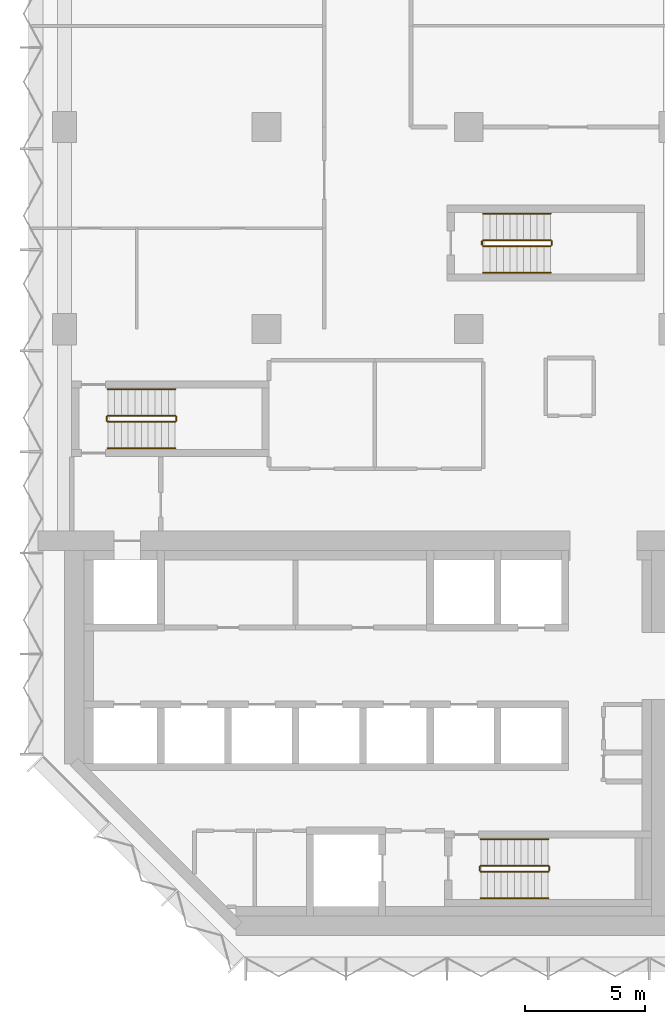
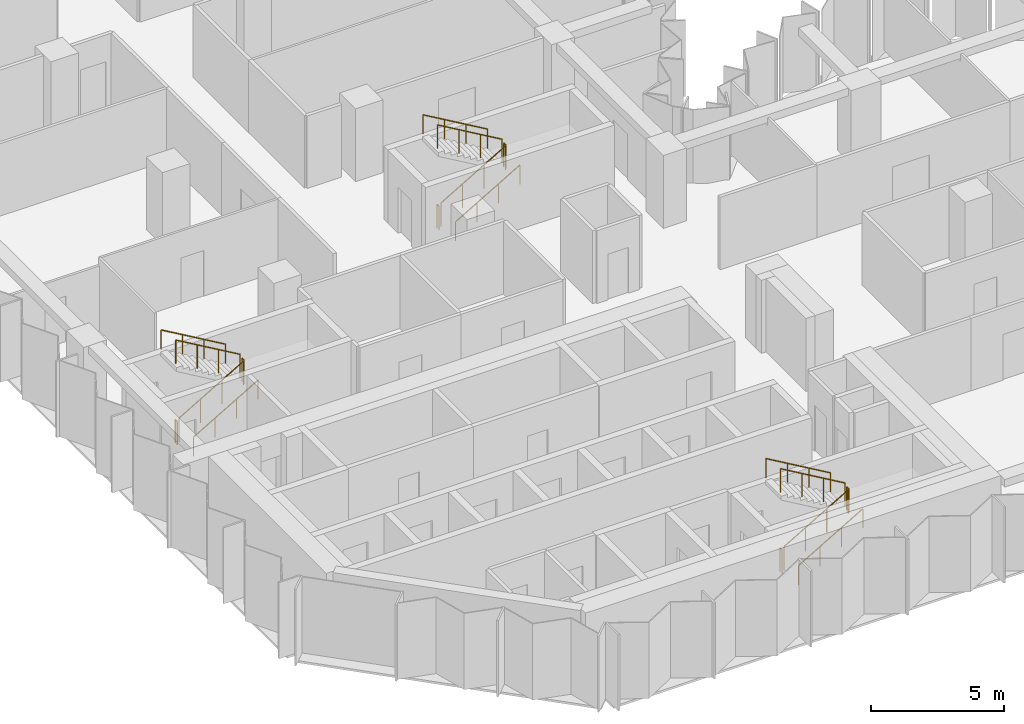
# One storey, part 12 of 13: 18 railings.
"""IFC4 building model written with IfcOpenShell, lengths in metres."""

from ifc_helpers import new_model, si_unit, direction, frame, origin, origin_2d, place, context, subcontext, project, spatial, circle, extrude, material, type_object, element, save


model = new_model("IFC4")

# Units and contexts
model_context = context("Model", 3, precision=1e-05, world=origin(), true_north=direction((0.0, 1.0)))
body_context = subcontext(model_context, "Body", "Model", "MODEL_VIEW")
ifc_project = project(units=[si_unit("LENGTHUNIT", "METRE"), si_unit("AREAUNIT", "SQUARE_METRE"), si_unit("VOLUMEUNIT", "CUBIC_METRE"), si_unit("PLANEANGLEUNIT", "RADIAN"), si_unit("MASSUNIT", "GRAM", prefix="KILO")], contexts=[model_context])

# Site, building, storey
site_placement = place(None, origin())
site = spatial("IfcSite", under=ifc_project, at=site_placement, CompositionType="ELEMENT")
building_placement = place(site_placement, origin())
building = spatial("IfcBuilding", under=site, at=building_placement, Name="Brevane Broadcast Tower", CompositionType="ELEMENT")
storey_placement = place(building_placement, frame((0.0, 0.0, 91.699951171875)))
storey = spatial("IfcBuildingStorey", under=building, at=storey_placement, Name="L21", CompositionType="ELEMENT", Elevation=91.699951171875)

# Railings
ifc_material = material(Name="Steel S355", Category="steel")
railing_type_1 = type_object("IfcRailingType", Name="Exit stair guard", PredefinedType="GUARDRAIL", material=ifc_material)
railing_1_placement = place(storey_placement, frame((1.800048828125, 21.35009765625, 0.16357421875)))
element("IfcRailing", 1, at=railing_1_placement, inside=storey, type_object=railing_type_1, Name="L21 ST-1 stair guard 1", PredefinedType="GUARDRAIL", context=body_context, shape_type="SweptSolid", body=[
    extrude(circle(Radius=0.02392578125, at=origin_2d()), frame((0.0, 0.0, 1.076171875), z_axis=(0.863360870873, 0.0, 0.504586966384), x_axis=(0.0, 1.0, 0.0)), (0.0, 0.0, 1.0), 3.2431640625),
    extrude(circle(Radius=0.02099609375, at=origin_2d()), origin(), (0.0, 0.0, 1.0), 1.052001953125),
    extrude(circle(Radius=0.02099609375, at=origin_2d()), frame((0.933349609375, 0.0, 0.54541015625)), (0.0, 0.0, 1.0), 1.052001953125),
    extrude(circle(Radius=0.02099609375, at=origin_2d()), frame((1.86669921875, 0.0, 1.091064453125)), (0.0, 0.0, 1.0), 1.052001953125),
    extrude(circle(Radius=0.02099609375, at=origin_2d()), frame((2.800048828125, 0.0, 1.636474609375)), (0.0, 0.0, 1.0), 1.052001953125),
])
railing_2_placement = place(storey_placement, frame((4.64990234375, 21.39990234375, 1.800048828125)))
element("IfcRailing", 2, at=railing_2_placement, inside=storey, type_object=railing_type_1, Name="L21 ST-1 stair guard 2", PredefinedType="GUARDRAIL", context=body_context, shape_type="SweptSolid", body=[
    extrude(circle(Radius=0.02392578125, at=origin_2d()), frame((0.0, 0.0, 1.076171875), z_axis=(0.0, 1.0, 0.0), x_axis=(-1.0, 0.0, 0.0)), (0.0, 0.0, 1.0), 0.150146484375),
    extrude(circle(Radius=0.02099609375, at=origin_2d()), origin(), (0.0, 0.0, 1.0), 1.052001953125),
    extrude(circle(Radius=0.02099609375, at=origin_2d()), frame((0.0, 0.150146484375, 0.0)), (0.0, 0.0, 1.0), 1.052001953125),
])
railing_3_placement = place(storey_placement, frame((4.60009765625, 21.60009765625, 1.963623046875)))
element("IfcRailing", 3, at=railing_3_placement, inside=storey, type_object=railing_type_1, Name="L21 ST-1 stair guard 3", PredefinedType="GUARDRAIL", context=body_context, shape_type="SweptSolid", body=[
    extrude(circle(Radius=0.02392578125, at=origin_2d()), frame((0.0, 0.0, 1.076171875), z_axis=(-0.863360870873, 0.0, 0.504586966384), x_axis=(0.0, -1.0, 0.0)), (0.0, 0.0, 1.0), 3.2431640625),
    extrude(circle(Radius=0.02099609375, at=origin_2d()), origin(), (0.0, 0.0, 1.0), 1.052001953125),
    extrude(circle(Radius=0.02099609375, at=origin_2d()), frame((-0.933349609375, 0.0, 0.54541015625)), (0.0, 0.0, 1.0), 1.052001953125),
    extrude(circle(Radius=0.02099609375, at=origin_2d()), frame((-1.86669921875, 0.0, 1.091064453125)), (0.0, 0.0, 1.0), 1.052001953125),
    extrude(circle(Radius=0.02099609375, at=origin_2d()), frame((-2.800048828125, 0.0, 1.636474609375)), (0.0, 0.0, 1.0), 1.052001953125),
])
railing_4_placement = place(storey_placement, frame((1.75, 21.39990234375, 0.0)))
element("IfcRailing", 4, at=railing_4_placement, inside=storey, type_object=railing_type_1, Name="L21 ST-1 stair guard 4", PredefinedType="GUARDRAIL", context=body_context, shape_type="SweptSolid", body=[
    extrude(circle(Radius=0.02392578125, at=origin_2d()), frame((0.0, 0.0, 1.076171875), z_axis=(0.0, 1.0, 0.0), x_axis=(-1.0, 0.0, 0.0)), (0.0, 0.0, 1.0), 0.150146484375),
    extrude(circle(Radius=0.02099609375, at=origin_2d()), origin(), (0.0, 0.0, 1.0), 1.052001953125),
    extrude(circle(Radius=0.02099609375, at=origin_2d()), frame((0.0, 0.150146484375, 0.0)), (0.0, 0.0, 1.0), 1.052001953125),
])
railing_5_placement = place(storey_placement, frame((17.300048828125, 2.64990234375, 0.16357421875)))
element("IfcRailing", 5, at=railing_5_placement, inside=storey, type_object=railing_type_1, Name="L21 ST-2 stair guard 1", PredefinedType="GUARDRAIL", context=body_context, shape_type="SweptSolid", body=[
    extrude(circle(Radius=0.02392578125, at=origin_2d()), frame((0.0, 0.0, 1.076171875), z_axis=(0.863360870873, 0.0, 0.504586966384), x_axis=(0.0, 1.0, 0.0)), (0.0, 0.0, 1.0), 3.2431640625),
    extrude(circle(Radius=0.02099609375, at=origin_2d()), origin(), (0.0, 0.0, 1.0), 1.052001953125),
    extrude(circle(Radius=0.02099609375, at=origin_2d()), frame((0.933349609375, 0.0, 0.54541015625)), (0.0, 0.0, 1.0), 1.052001953125),
    extrude(circle(Radius=0.02099609375, at=origin_2d()), frame((1.86669921875, 0.0, 1.091064453125)), (0.0, 0.0, 1.0), 1.052001953125),
    extrude(circle(Radius=0.02099609375, at=origin_2d()), frame((2.800048828125, 0.0, 1.636474609375)), (0.0, 0.0, 1.0), 1.052001953125),
])
railing_6_placement = place(storey_placement, frame((20.14990234375, 2.699951171875, 1.800048828125)))
element("IfcRailing", 6, at=railing_6_placement, inside=storey, type_object=railing_type_1, Name="L21 ST-2 stair guard 2", PredefinedType="GUARDRAIL", context=body_context, shape_type="SweptSolid", body=[
    extrude(circle(Radius=0.02392578125, at=origin_2d()), frame((0.0, 0.0, 1.076171875), z_axis=(0.0, 1.0, 0.0), x_axis=(-1.0, 0.0, 0.0)), (0.0, 0.0, 1.0), 0.150146484375),
    extrude(circle(Radius=0.02099609375, at=origin_2d()), origin(), (0.0, 0.0, 1.0), 1.052001953125),
    extrude(circle(Radius=0.02099609375, at=origin_2d()), frame((0.0, 0.150146484375, 0.0)), (0.0, 0.0, 1.0), 1.052001953125),
])
railing_7_placement = place(storey_placement, frame((20.10009765625, 2.89990234375, 1.963623046875)))
element("IfcRailing", 7, at=railing_7_placement, inside=storey, type_object=railing_type_1, Name="L21 ST-2 stair guard 3", PredefinedType="GUARDRAIL", context=body_context, shape_type="SweptSolid", body=[
    extrude(circle(Radius=0.02392578125, at=origin_2d()), frame((0.0, 0.0, 1.076171875), z_axis=(-0.863360870873, 0.0, 0.504586966384), x_axis=(0.0, -1.0, 0.0)), (0.0, 0.0, 1.0), 3.2431640625),
    extrude(circle(Radius=0.02099609375, at=origin_2d()), origin(), (0.0, 0.0, 1.0), 1.052001953125),
    extrude(circle(Radius=0.02099609375, at=origin_2d()), frame((-0.933349609375, 0.0, 0.54541015625)), (0.0, 0.0, 1.0), 1.052001953125),
    extrude(circle(Radius=0.02099609375, at=origin_2d()), frame((-1.86669921875, 0.0, 1.091064453125)), (0.0, 0.0, 1.0), 1.052001953125),
    extrude(circle(Radius=0.02099609375, at=origin_2d()), frame((-2.800048828125, 0.0, 1.636474609375)), (0.0, 0.0, 1.0), 1.052001953125),
])
railing_8_placement = place(storey_placement, frame((17.25, 2.699951171875, 0.0)))
element("IfcRailing", 8, at=railing_8_placement, inside=storey, type_object=railing_type_1, Name="L21 ST-2 stair guard 4", PredefinedType="GUARDRAIL", context=body_context, shape_type="SweptSolid", body=[
    extrude(circle(Radius=0.02392578125, at=origin_2d()), frame((0.0, 0.0, 1.076171875), z_axis=(0.0, 1.0, 0.0), x_axis=(-1.0, 0.0, 0.0)), (0.0, 0.0, 1.0), 0.150146484375),
    extrude(circle(Radius=0.02099609375, at=origin_2d()), origin(), (0.0, 0.0, 1.0), 1.052001953125),
    extrude(circle(Radius=0.02099609375, at=origin_2d()), frame((0.0, 0.150146484375, 0.0)), (0.0, 0.0, 1.0), 1.052001953125),
])
railing_9_placement = place(storey_placement, frame((17.39990234375, 28.64990234375, 0.16357421875)))
element("IfcRailing", 9, at=railing_9_placement, inside=storey, type_object=railing_type_1, Name="L21 ST-3 stair guard 1", PredefinedType="GUARDRAIL", context=body_context, shape_type="SweptSolid", body=[
    extrude(circle(Radius=0.02392578125, at=origin_2d()), frame((0.0, 0.0, 1.076171875), z_axis=(0.863360870873, 0.0, 0.504586966384), x_axis=(0.0, 1.0, 0.0)), (0.0, 0.0, 1.0), 3.2431640625),
    extrude(circle(Radius=0.02099609375, at=origin_2d()), origin(), (0.0, 0.0, 1.0), 1.052001953125),
    extrude(circle(Radius=0.02099609375, at=origin_2d()), frame((0.933349609375, 0.0, 0.54541015625)), (0.0, 0.0, 1.0), 1.052001953125),
    extrude(circle(Radius=0.02099609375, at=origin_2d()), frame((1.86669921875, 0.0, 1.091064453125)), (0.0, 0.0, 1.0), 1.052001953125),
    extrude(circle(Radius=0.02099609375, at=origin_2d()), frame((2.800048828125, 0.0, 1.636474609375)), (0.0, 0.0, 1.0), 1.052001953125),
])
railing_10_placement = place(storey_placement, frame((20.25, 28.699951171875, 1.800048828125)))
element("IfcRailing", 10, at=railing_10_placement, inside=storey, type_object=railing_type_1, Name="L21 ST-3 stair guard 2", PredefinedType="GUARDRAIL", context=body_context, shape_type="SweptSolid", body=[
    extrude(circle(Radius=0.02392578125, at=origin_2d()), frame((0.0, 0.0, 1.076171875), z_axis=(0.0, 1.0, 0.0), x_axis=(-1.0, 0.0, 0.0)), (0.0, 0.0, 1.0), 0.150146484375),
    extrude(circle(Radius=0.02099609375, at=origin_2d()), origin(), (0.0, 0.0, 1.0), 1.052001953125),
    extrude(circle(Radius=0.02099609375, at=origin_2d()), frame((0.0, 0.150146484375, 0.0)), (0.0, 0.0, 1.0), 1.052001953125),
])
railing_11_placement = place(storey_placement, frame((20.199951171875, 28.89990234375, 1.963623046875)))
element("IfcRailing", 11, at=railing_11_placement, inside=storey, type_object=railing_type_1, Name="L21 ST-3 stair guard 3", PredefinedType="GUARDRAIL", context=body_context, shape_type="SweptSolid", body=[
    extrude(circle(Radius=0.02392578125, at=origin_2d()), frame((0.0, 0.0, 1.076171875), z_axis=(-0.863360870873, 0.0, 0.504586966384), x_axis=(0.0, -1.0, 0.0)), (0.0, 0.0, 1.0), 3.2431640625),
    extrude(circle(Radius=0.02099609375, at=origin_2d()), origin(), (0.0, 0.0, 1.0), 1.052001953125),
    extrude(circle(Radius=0.02099609375, at=origin_2d()), frame((-0.933349609375, 0.0, 0.54541015625)), (0.0, 0.0, 1.0), 1.052001953125),
    extrude(circle(Radius=0.02099609375, at=origin_2d()), frame((-1.86669921875, 0.0, 1.091064453125)), (0.0, 0.0, 1.0), 1.052001953125),
    extrude(circle(Radius=0.02099609375, at=origin_2d()), frame((-2.800048828125, 0.0, 1.636474609375)), (0.0, 0.0, 1.0), 1.052001953125),
])
railing_12_placement = place(storey_placement, frame((17.35009765625, 28.699951171875, 0.0)))
element("IfcRailing", 12, at=railing_12_placement, inside=storey, type_object=railing_type_1, Name="L21 ST-3 stair guard 4", PredefinedType="GUARDRAIL", context=body_context, shape_type="SweptSolid", body=[
    extrude(circle(Radius=0.02392578125, at=origin_2d()), frame((0.0, 0.0, 1.076171875), z_axis=(0.0, 1.0, 0.0), x_axis=(-1.0, 0.0, 0.0)), (0.0, 0.0, 1.0), 0.150146484375),
    extrude(circle(Radius=0.02099609375, at=origin_2d()), origin(), (0.0, 0.0, 1.0), 1.052001953125),
    extrude(circle(Radius=0.02099609375, at=origin_2d()), frame((0.0, 0.150146484375, 0.0)), (0.0, 0.0, 1.0), 1.052001953125),
])
railing_type_2 = type_object("IfcRailingType", Name="Exit stair handrail", PredefinedType="HANDRAIL", material=ifc_material)
railing_13_placement = place(storey_placement, frame((1.800048828125, 20.25, 0.16357421875)))
element("IfcRailing", 13, at=railing_13_placement, inside=storey, type_object=railing_type_2, Name="L21 ST-1 stair handrail 1", PredefinedType="HANDRAIL", context=body_context, shape_type="SweptSolid", body=[
    extrude(circle(Radius=0.02392578125, at=origin_2d()), frame((0.0, 0.0, 0.8759765625), z_axis=(0.863360870873, 0.0, 0.504586966384), x_axis=(0.0, 1.0, 0.0)), (0.0, 0.0, 1.0), 3.2431640625),
    extrude(circle(Radius=0.02099609375, at=origin_2d()), origin(), (0.0, 0.0, 1.0), 0.851806640625),
    extrude(circle(Radius=0.02099609375, at=origin_2d()), frame((0.933349609375, 0.0, 0.54541015625)), (0.0, 0.0, 1.0), 0.851806640625),
    extrude(circle(Radius=0.02099609375, at=origin_2d()), frame((1.86669921875, 0.0, 1.091064453125)), (0.0, 0.0, 1.0), 0.851806640625),
    extrude(circle(Radius=0.02099609375, at=origin_2d()), frame((2.800048828125, 0.0, 1.636474609375)), (0.0, 0.0, 1.0), 0.851806640625),
])
railing_14_placement = place(storey_placement, frame((4.60009765625, 22.699951171875, 1.963623046875)))
element("IfcRailing", 14, at=railing_14_placement, inside=storey, type_object=railing_type_2, Name="L21 ST-1 stair handrail 2", PredefinedType="HANDRAIL", context=body_context, shape_type="SweptSolid", body=[
    extrude(circle(Radius=0.02392578125, at=origin_2d()), frame((0.0, 0.0, 0.8759765625), z_axis=(-0.863360870873, 0.0, 0.504586966384), x_axis=(0.0, -1.0, 0.0)), (0.0, 0.0, 1.0), 3.2431640625),
    extrude(circle(Radius=0.02099609375, at=origin_2d()), origin(), (0.0, 0.0, 1.0), 0.851806640625),
    extrude(circle(Radius=0.02099609375, at=origin_2d()), frame((-0.933349609375, 0.0, 0.54541015625)), (0.0, 0.0, 1.0), 0.851806640625),
    extrude(circle(Radius=0.02099609375, at=origin_2d()), frame((-1.86669921875, 0.0, 1.091064453125)), (0.0, 0.0, 1.0), 0.851806640625),
    extrude(circle(Radius=0.02099609375, at=origin_2d()), frame((-2.800048828125, 0.0, 1.636474609375)), (0.0, 0.0, 1.0), 0.851806640625),
])
railing_15_placement = place(storey_placement, frame((17.300048828125, 1.550048828125, 0.16357421875)))
element("IfcRailing", 15, at=railing_15_placement, inside=storey, type_object=railing_type_2, Name="L21 ST-2 stair handrail 1", PredefinedType="HANDRAIL", context=body_context, shape_type="SweptSolid", body=[
    extrude(circle(Radius=0.02392578125, at=origin_2d()), frame((0.0, 0.0, 0.8759765625), z_axis=(0.863360870873, 0.0, 0.504586966384), x_axis=(0.0, 1.0, 0.0)), (0.0, 0.0, 1.0), 3.2431640625),
    extrude(circle(Radius=0.02099609375, at=origin_2d()), origin(), (0.0, 0.0, 1.0), 0.851806640625),
    extrude(circle(Radius=0.02099609375, at=origin_2d()), frame((0.933349609375, 0.0, 0.54541015625)), (0.0, 0.0, 1.0), 0.851806640625),
    extrude(circle(Radius=0.02099609375, at=origin_2d()), frame((1.86669921875, 0.0, 1.091064453125)), (0.0, 0.0, 1.0), 0.851806640625),
    extrude(circle(Radius=0.02099609375, at=origin_2d()), frame((2.800048828125, 0.0, 1.636474609375)), (0.0, 0.0, 1.0), 0.851806640625),
])
railing_16_placement = place(storey_placement, frame((20.10009765625, 4.0, 1.963623046875)))
element("IfcRailing", 16, at=railing_16_placement, inside=storey, type_object=railing_type_2, Name="L21 ST-2 stair handrail 2", PredefinedType="HANDRAIL", context=body_context, shape_type="SweptSolid", body=[
    extrude(circle(Radius=0.02392578125, at=origin_2d()), frame((0.0, 0.0, 0.8759765625), z_axis=(-0.863360870873, 0.0, 0.504586966384), x_axis=(0.0, -1.0, 0.0)), (0.0, 0.0, 1.0), 3.2431640625),
    extrude(circle(Radius=0.02099609375, at=origin_2d()), origin(), (0.0, 0.0, 1.0), 0.851806640625),
    extrude(circle(Radius=0.02099609375, at=origin_2d()), frame((-0.933349609375, 0.0, 0.54541015625)), (0.0, 0.0, 1.0), 0.851806640625),
    extrude(circle(Radius=0.02099609375, at=origin_2d()), frame((-1.86669921875, 0.0, 1.091064453125)), (0.0, 0.0, 1.0), 0.851806640625),
    extrude(circle(Radius=0.02099609375, at=origin_2d()), frame((-2.800048828125, 0.0, 1.636474609375)), (0.0, 0.0, 1.0), 0.851806640625),
])
railing_17_placement = place(storey_placement, frame((17.39990234375, 27.550048828125, 0.16357421875)))
element("IfcRailing", 17, at=railing_17_placement, inside=storey, type_object=railing_type_2, Name="L21 ST-3 stair handrail 1", PredefinedType="HANDRAIL", context=body_context, shape_type="SweptSolid", body=[
    extrude(circle(Radius=0.02392578125, at=origin_2d()), frame((0.0, 0.0, 0.8759765625), z_axis=(0.863360870873, 0.0, 0.504586966384), x_axis=(0.0, 1.0, 0.0)), (0.0, 0.0, 1.0), 3.2431640625),
    extrude(circle(Radius=0.02099609375, at=origin_2d()), origin(), (0.0, 0.0, 1.0), 0.851806640625),
    extrude(circle(Radius=0.02099609375, at=origin_2d()), frame((0.933349609375, 0.0, 0.54541015625)), (0.0, 0.0, 1.0), 0.851806640625),
    extrude(circle(Radius=0.02099609375, at=origin_2d()), frame((1.86669921875, 0.0, 1.091064453125)), (0.0, 0.0, 1.0), 0.851806640625),
    extrude(circle(Radius=0.02099609375, at=origin_2d()), frame((2.800048828125, 0.0, 1.636474609375)), (0.0, 0.0, 1.0), 0.851806640625),
])
railing_18_placement = place(storey_placement, frame((20.199951171875, 30.0, 1.963623046875)))
element("IfcRailing", 18, at=railing_18_placement, inside=storey, type_object=railing_type_2, Name="L21 ST-3 stair handrail 2", PredefinedType="HANDRAIL", context=body_context, shape_type="SweptSolid", body=[
    extrude(circle(Radius=0.02392578125, at=origin_2d()), frame((0.0, 0.0, 0.8759765625), z_axis=(-0.863360870873, 0.0, 0.504586966384), x_axis=(0.0, -1.0, 0.0)), (0.0, 0.0, 1.0), 3.2431640625),
    extrude(circle(Radius=0.02099609375, at=origin_2d()), origin(), (0.0, 0.0, 1.0), 0.851806640625),
    extrude(circle(Radius=0.02099609375, at=origin_2d()), frame((-0.933349609375, 0.0, 0.54541015625)), (0.0, 0.0, 1.0), 0.851806640625),
    extrude(circle(Radius=0.02099609375, at=origin_2d()), frame((-1.86669921875, 0.0, 1.091064453125)), (0.0, 0.0, 1.0), 0.851806640625),
    extrude(circle(Radius=0.02099609375, at=origin_2d()), frame((-2.800048828125, 0.0, 1.636474609375)), (0.0, 0.0, 1.0), 0.851806640625),
])

save(model, "model.ifc")
